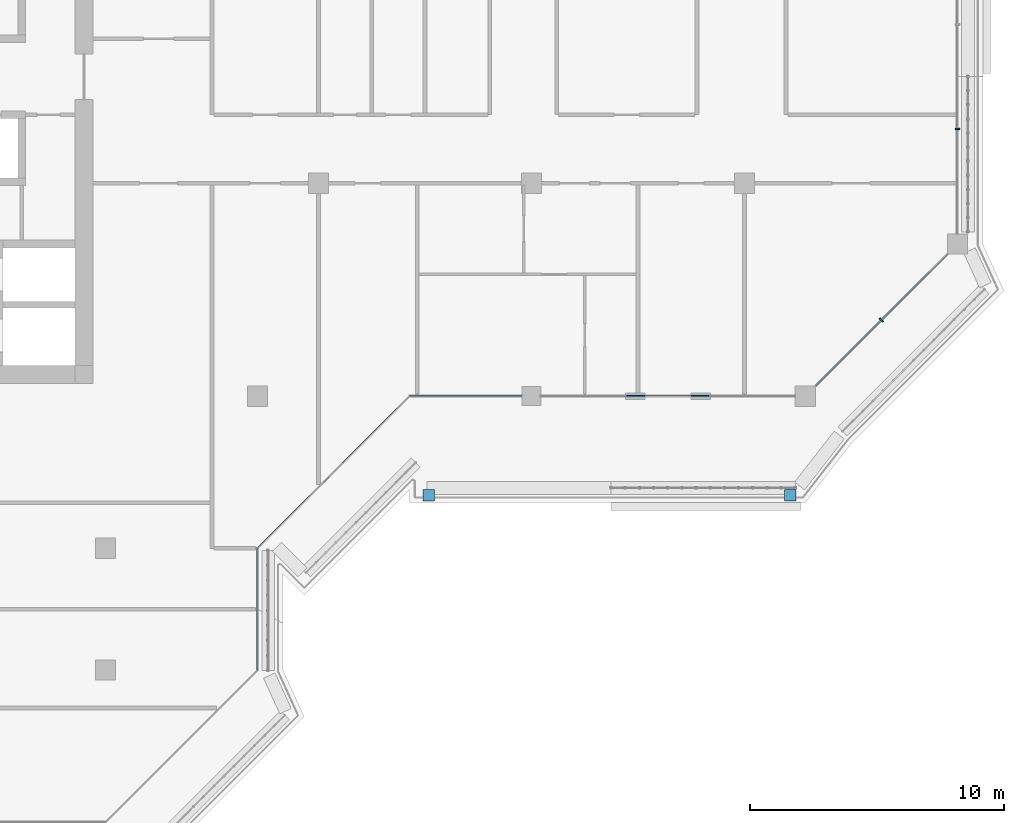
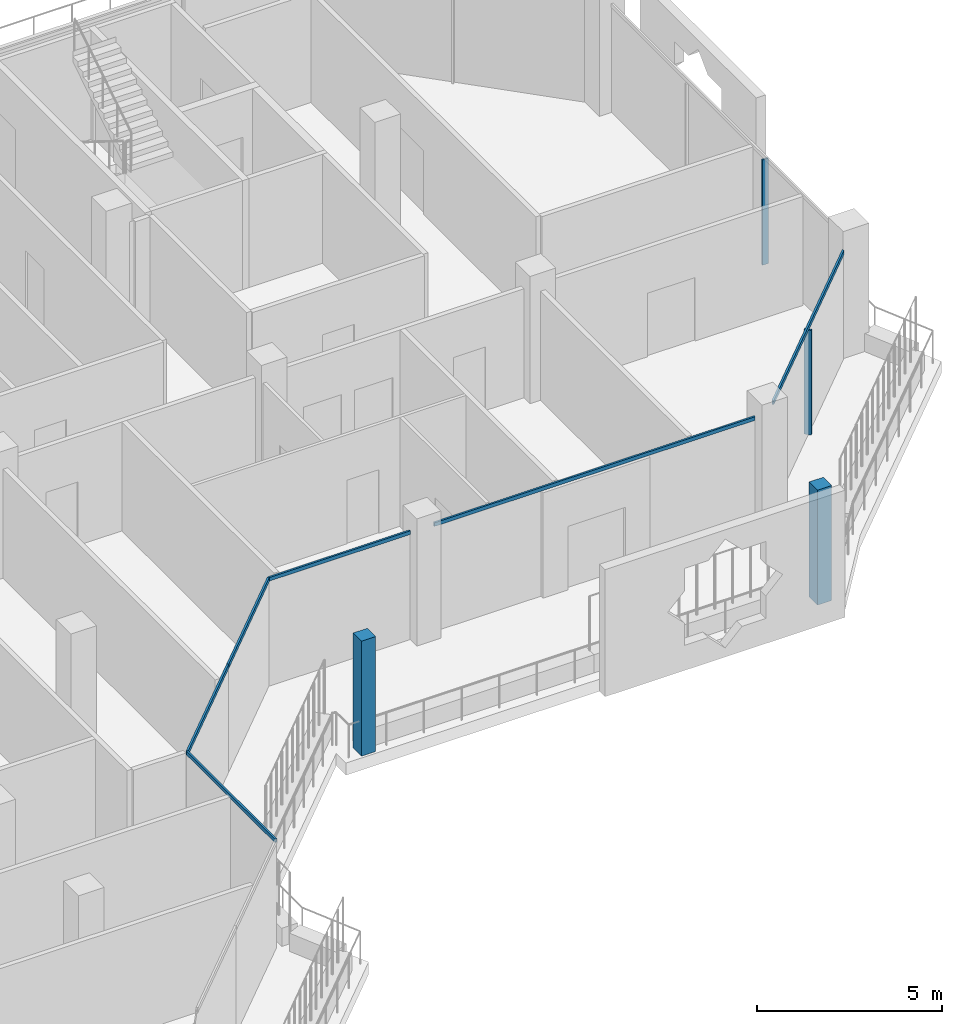
# One storey, part 5 of 21: 10 members, 6 elements without a shape of their own.
"""IFC4 building model written with IfcOpenShell, lengths in metres."""

from ifc_helpers import new_model, si_unit, direction, frame, origin, origin_2d, place, context, subcontext, project, spatial, rectangle, extrude, material, layer, layer_set, material_profile, profile_set, type_object, element, aggregate, save


model = new_model("IFC4")

# Units and contexts
model_context = context("Model", 3, precision=1e-05, world=origin(), true_north=direction((0.0, 1.0)))
body_context = subcontext(model_context, "Body", "Model", "MODEL_VIEW")
ifc_project = project(units=[si_unit("LENGTHUNIT", "METRE"), si_unit("AREAUNIT", "SQUARE_METRE"), si_unit("VOLUMEUNIT", "CUBIC_METRE"), si_unit("PLANEANGLEUNIT", "RADIAN"), si_unit("MASSUNIT", "GRAM", prefix="KILO")], contexts=[model_context])

# Site, building, storey
site_placement = place(None, origin())
site = spatial("IfcSite", under=ifc_project, at=site_placement, CompositionType="ELEMENT")
building_placement = place(site_placement, origin())
building = spatial("IfcBuilding", under=site, at=building_placement, Name="Kawkab Arch Medical Tower", CompositionType="ELEMENT")
storey_placement = place(building_placement, frame((0.0, 0.0, 319.60009765625)))
storey = spatial("IfcBuildingStorey", under=building, at=storey_placement, Name="L74", CompositionType="ELEMENT", Elevation=319.60009765625)

# Curtain wall, member
ifc_material_1 = material(Name="Bronze anodised aluminium curtain wall frame", Category="aluminium")
ifc_layer_1 = layer(ifc_material_1, 0.159912109375)
ifc_layer_set_1 = layer_set([ifc_layer_1], Name="Bronze anodised aluminium curtain wall frame")
curtain_wall_type_1 = type_object("IfcCurtainWallType", Name="CW1 ward curtain wall", PredefinedType="NOTDEFINED", material=ifc_layer_set_1)
placement = place(storey_placement, origin())
curtain_wall_1 = element("IfcCurtainWall", 1, at=placement, inside=storey, type_object=curtain_wall_type_1, Name="CW1 Ward curtain wall R13", PredefinedType="NOTDEFINED")
ifc_material_2 = material(Name="Bronze anodised aluminium curtain wall frame", Category="aluminium")
ifc_material_profile_1 = material_profile(ifc_material_2, rectangle(XDim=0.179931640625, YDim=0.06005859375, at=origin_2d()), Name="AL 60x180")
ifc_profile_set_1 = profile_set([ifc_material_profile_1], Name="Bronze anodised aluminium curtain wall frame")
member_type_1 = type_object("IfcMemberType", Name="CW1 mullion 60 x 180", PredefinedType="MULLION", material=ifc_profile_set_1)
member_1_placement = place(storey_placement, frame((58.800048828125, -14.666748046875, 0.0), z_axis=(0.0, 0.0, 1.0), x_axis=(-1.0, 0.0, 0.0)))
member_1 = element("IfcMember", 2, at=member_1_placement, type_object=member_type_1, Name="CW1 mullion 1.1", PredefinedType="MULLION", context=body_context, shape_type="SweptSolid", body=[
    extrude(rectangle(XDim=0.179931640625, YDim=0.06005859375, at=origin_2d()), origin(), (0.0, 0.0, 1.0), 3.47998046875),
])
aggregate(curtain_wall_1, [member_1])

curtain_wall_2 = element("IfcCurtainWall", 3, at=placement, inside=storey, type_object=curtain_wall_type_1, Name="CW1 Ward curtain wall R09", PredefinedType="NOTDEFINED")
ifc_material_3 = material(Name="Bronze anodised aluminium curtain wall frame", Category="aluminium")
ifc_material_profile_2 = material_profile(ifc_material_3, rectangle(XDim=0.06005859375, YDim=0.1201171875, at=origin_2d()), Name="AL 60x120")
ifc_profile_set_2 = profile_set([ifc_material_profile_2], Name="Bronze anodised aluminium curtain wall frame")
member_type_2 = type_object("IfcMemberType", Name="CW1 transom 120 x 60", PredefinedType="USERDEFINED", material=ifc_profile_set_2)
member_2_placement = place(storey_placement, frame((31.199951171875, -36.0, 3.539794921875), z_axis=(0.0, 1.0, 0.0), x_axis=(-1.0, 0.0, 0.0)))
member_2 = element("IfcMember", 4, at=member_2_placement, type_object=member_type_2, Name="CW1 transom 1", ObjectType="TRANSOM", PredefinedType="USERDEFINED", context=body_context, shape_type="SweptSolid", body=[
    extrude(rectangle(XDim=0.06005859375, YDim=0.1201171875, at=origin_2d()), origin(), (0.0, 0.0, 1.0), 4.800048828125),
])
aggregate(curtain_wall_2, [member_2])

# Curtain wall, members
curtain_wall_3 = element("IfcCurtainWall", 5, at=placement, inside=storey, type_object=curtain_wall_type_1, Name="CW1 Ward curtain wall R11", PredefinedType="NOTDEFINED")
member_3_placement = place(storey_placement, frame((37.199951171875, -25.199951171875, 3.539794921875), z_axis=(1.0, 0.0, 0.0), x_axis=(0.0, 1.0, 0.0)))
member_3 = element("IfcMember", 6, at=member_3_placement, type_object=member_type_2, Name="CW1 transom 1", ObjectType="TRANSOM", PredefinedType="USERDEFINED", context=body_context, shape_type="SweptSolid", body=[
    extrude(rectangle(XDim=0.06005859375, YDim=0.1201171875, at=origin_2d()), origin(), (0.0, 0.0, 1.0), 4.425048828125),
])
member_4_placement = place(storey_placement, frame((42.375, -25.199951171875, 3.539794921875), z_axis=(1.0, 0.0, 0.0), x_axis=(0.0, 1.0, 0.0)))
member_4 = element("IfcMember", 7, at=member_4_placement, type_object=member_type_2, Name="CW1 transom 2", ObjectType="TRANSOM", PredefinedType="USERDEFINED", context=body_context, shape_type="SweptSolid", body=[
    extrude(rectangle(XDim=0.06005859375, YDim=0.1201171875, at=origin_2d()), origin(), (0.0, 0.0, 1.0), 10.02490234375),
])
aggregate(curtain_wall_3, [member_3, member_4])

# Curtain wall, member
ifc_material_4 = material(Name="Bronze anodised aluminium curtain wall frame", Category="aluminium")
ifc_layer_2 = layer(ifc_material_4, 0.159912109375)
ifc_layer_set_2 = layer_set([ifc_layer_2], Name="Bronze anodised aluminium curtain wall frame")
curtain_wall_type_2 = type_object("IfcCurtainWallType", Name="CW2 chamfer curtain wall", PredefinedType="NOTDEFINED", material=ifc_layer_set_2)
curtain_wall_4 = element("IfcCurtainWall", 8, at=placement, inside=storey, type_object=curtain_wall_type_2, Name="CW2 Chamfer curtain wall R12", PredefinedType="NOTDEFINED")
ifc_material_5 = material(Name="Bronze anodised aluminium curtain wall frame", Category="aluminium")
ifc_material_profile_3 = material_profile(ifc_material_5, rectangle(XDim=0.199951171875, YDim=0.06005859375, at=origin_2d()), Name="AL 60x200")
ifc_profile_set_3 = profile_set([ifc_material_profile_3], Name="Bronze anodised aluminium curtain wall frame")
member_type_3 = type_object("IfcMemberType", Name="CW2 mullion 60 x 200", PredefinedType="MULLION", material=ifc_profile_set_3)
member_5_placement = place(storey_placement, frame((55.800048828125, -22.199951171875, 0.0), z_axis=(0.0, 0.0, 1.0), x_axis=(-0.707106781187, 0.707106781187, 0.0)))
member_5 = element("IfcMember", 9, at=member_5_placement, type_object=member_type_3, Name="CW2 mullion 1.1", PredefinedType="MULLION", context=body_context, shape_type="SweptSolid", body=[
    extrude(rectangle(XDim=0.199951171875, YDim=0.06005859375, at=origin_2d()), origin(), (0.0, 0.0, 1.0), 3.4599609375),
])

# Curtain wall, members
curtain_wall_5 = element("IfcCurtainWall", 10, at=placement, inside=storey, type_object=curtain_wall_type_2, Name="CW2 Chamfer curtain wall R10", PredefinedType="NOTDEFINED")
ifc_material_6 = material(Name="Bronze anodised aluminium curtain wall frame", Category="aluminium")
ifc_material_profile_4 = material_profile(ifc_material_6, rectangle(XDim=0.06005859375, YDim=0.139892578125, at=origin_2d()), Name="AL 60x140")
ifc_profile_set_4 = profile_set([ifc_material_profile_4], Name="Bronze anodised aluminium curtain wall frame")
member_type_4 = type_object("IfcMemberType", Name="CW2 transom 140 x 60", PredefinedType="USERDEFINED", material=ifc_profile_set_4)
member_6_placement = place(storey_placement, frame((31.199951171875, -31.199951171875, 3.52978515625), z_axis=(0.707106781187, 0.707106781187, 0.0), x_axis=(-0.707106781187, 0.707106781187, 0.0)))
member_6 = element("IfcMember", 11, at=member_6_placement, type_object=member_type_4, Name="CW2 transom 1", ObjectType="TRANSOM", PredefinedType="USERDEFINED", context=body_context, shape_type="SweptSolid", body=[
    extrude(rectangle(XDim=0.06005859375, YDim=0.139892578125, at=origin_2d()), origin(), (0.0, 0.0, 1.0), 4.24267578125),
])
member_7_placement = place(storey_placement, frame((34.199951171875, -28.199951171875, 3.52978515625), z_axis=(0.707106781187, 0.707106781187, 0.0), x_axis=(-0.707106781187, 0.707106781187, 0.0)))
member_7 = element("IfcMember", 12, at=member_7_placement, type_object=member_type_4, Name="CW2 transom 2", ObjectType="TRANSOM", PredefinedType="USERDEFINED", context=body_context, shape_type="SweptSolid", body=[
    extrude(rectangle(XDim=0.06005859375, YDim=0.139892578125, at=origin_2d()), origin(), (0.0, 0.0, 1.0), 4.24267578125),
])
aggregate(curtain_wall_5, [member_6, member_7])

# Member
member_8_placement = place(storey_placement, frame((53.199951171875, -24.800048828125, 3.52978515625), z_axis=(0.707106781187, 0.707106781187, 0.0), x_axis=(-0.707106781187, 0.707106781187, 0.0)))
member_8 = element("IfcMember", 13, at=member_8_placement, type_object=member_type_4, Name="CW2 transom 1", ObjectType="TRANSOM", PredefinedType="USERDEFINED", context=body_context, shape_type="SweptSolid", body=[
    extrude(rectangle(XDim=0.06005859375, YDim=0.139892578125, at=origin_2d()), origin(), (0.0, 0.0, 1.0), 7.353759765625),
])

aggregate(curtain_wall_4, [member_8, member_5])

# Curtain wall, members
ifc_material_7 = material(Name="Bronze anodised aluminium climber frame, planted", Category="aluminium")
ifc_layer_3 = layer(ifc_material_7, 0.449951171875)
ifc_layer_set_3 = layer_set([ifc_layer_3], Name="Bronze anodised aluminium climber frame, planted")
curtain_wall_type_3 = type_object("IfcCurtainWallType", Name="Planted climber frame", PredefinedType="NOTDEFINED", material=ifc_layer_set_3)
curtain_wall_6 = element("IfcCurtainWall", 14, at=placement, inside=storey, type_object=curtain_wall_type_3, Name="Planted climber frame L74", PredefinedType="NOTDEFINED")
ifc_material_8 = material(Name="Bronze anodised aluminium climber frame, planted", Category="aluminium")
ifc_material_profile_5 = material_profile(ifc_material_8, rectangle(XDim=0.449951171875, YDim=0.449951171875, at=origin_2d()), Name="Post 450x450")
ifc_profile_set_5 = profile_set([ifc_material_profile_5], Name="Bronze anodised aluminium climber frame, planted")
member_type_5 = type_object("IfcMemberType", Name="Planted climber post 450 x 450", PredefinedType="MULLION", material=ifc_profile_set_5)
member_9_placement = place(storey_placement, frame((52.202880859375, -29.10009765625, 0.0), z_axis=(0.0, 0.0, 1.0), x_axis=(1.0, 0.0, 0.0)))
member_9 = element("IfcMember", 15, at=member_9_placement, type_object=member_type_5, Name="Planted climber post L74.LOG-01-01.5", PredefinedType="MULLION", context=body_context, shape_type="SweptSolid", body=[
    extrude(rectangle(XDim=0.449951171875, YDim=0.449951171875, at=origin_2d()), origin(), (0.0, 0.0, 1.0), 3.7998046875),
])
member_10_placement = place(storey_placement, frame((37.949951171875, -29.10009765625, 0.0), z_axis=(0.0, 0.0, 1.0), x_axis=(1.0, 0.0, 0.0)))
member_10 = element("IfcMember", 16, at=member_10_placement, type_object=member_type_5, Name="Planted climber post L74.LOG-01-01.6", PredefinedType="MULLION", context=body_context, shape_type="SweptSolid", body=[
    extrude(rectangle(XDim=0.449951171875, YDim=0.449951171875, at=origin_2d()), origin(), (0.0, 0.0, 1.0), 3.7998046875),
])
aggregate(curtain_wall_6, [member_9, member_10])

save(model, "model.ifc")
